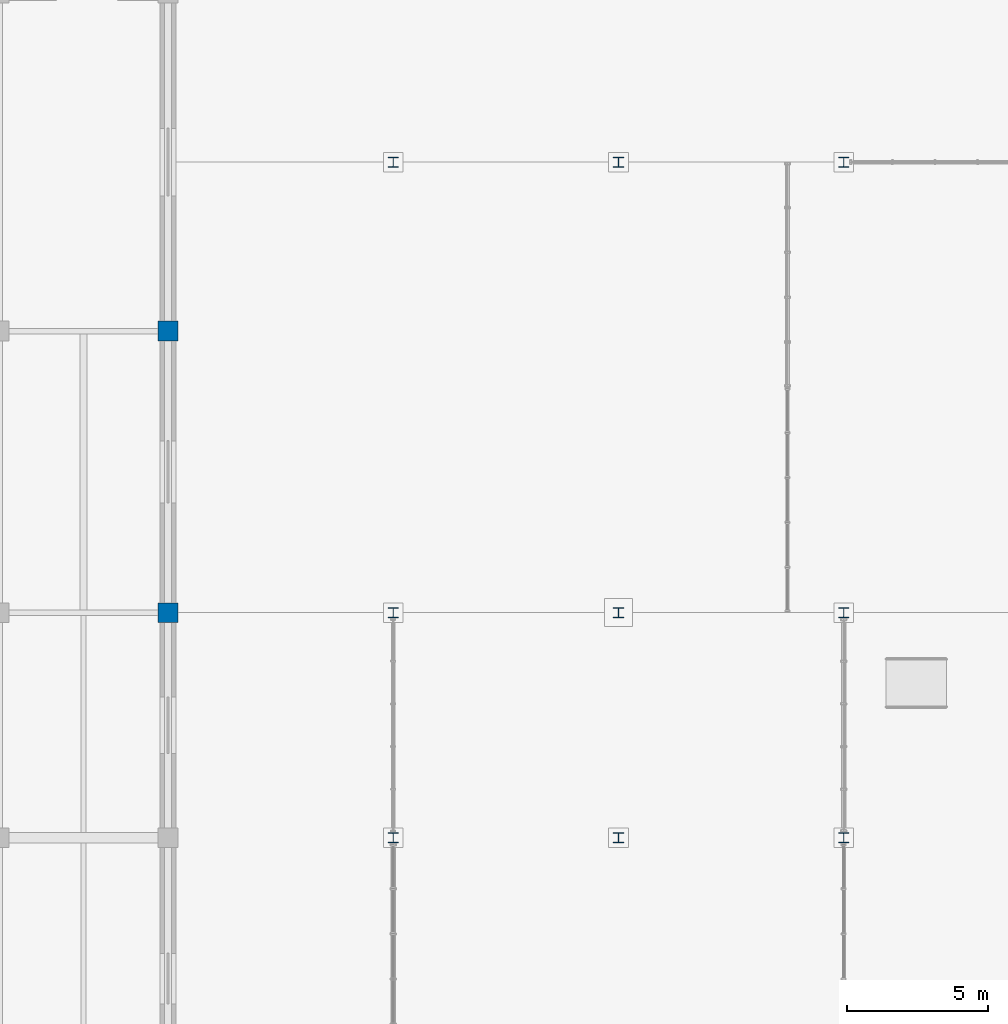
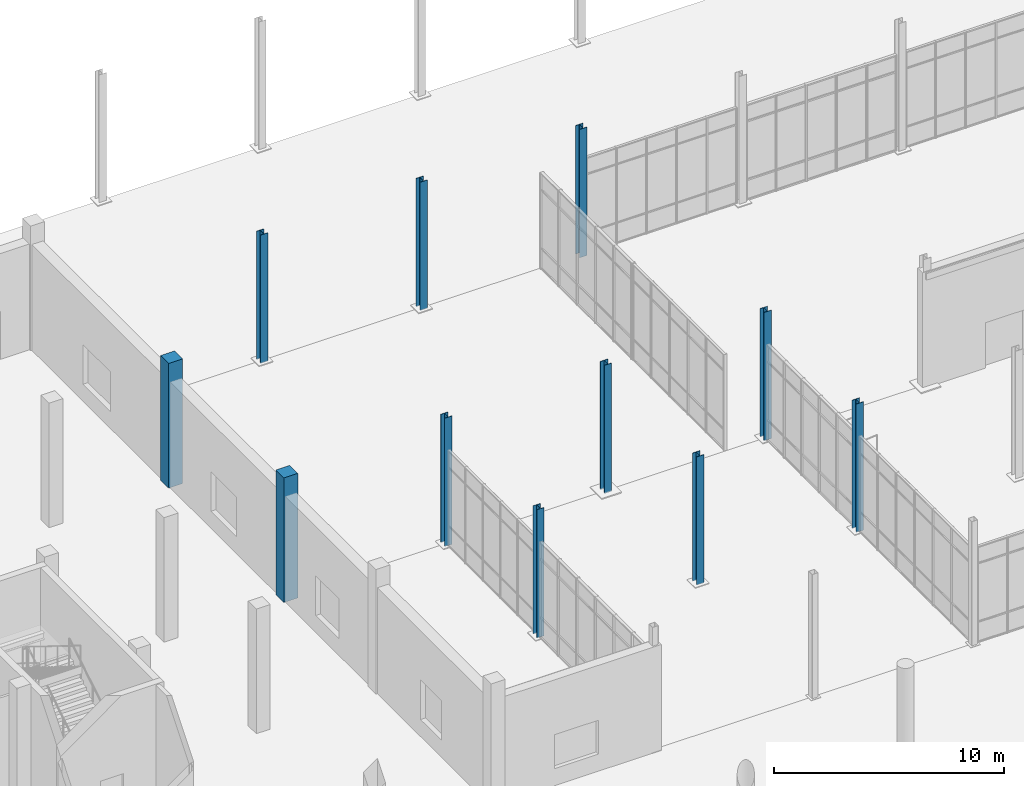
# One storey, part 10 of 140: 11 columns.
"""IFC4 building model written with IfcOpenShell, lengths in metres."""

import ifcopenshell
import ifcopenshell.guid

model = None  # the IFC model being written
_history = None  # IfcOwnerHistory: only IFC2X3 demands one
_inside = {}  # id of a spatial element -> (the spatial element, [elements in it])
_under = {}  # id of a project, library or spatial element -> (it, [spatial elements below it])
_declared = {}  # id of a project -> (the project, [libraries it declares])
_typed = {}  # id of a type object -> (the type object, [elements of that type])
_made_of = {}  # id of a material, layer set ... -> (it, [elements and type objects made of it])


def new_model(schema):
    """Start an empty IFC model of exactly this schema.

    Asked for "IFC4X3", IfcOpenShell would pick the latest addendum, in which some entities
    have other attributes; the version numbers below select the first issue.
    IFC2X3 requires an IfcOwnerHistory on every rooted entity: one is made here for all.
    """
    global model, _history
    if schema == "IFC4X3":
        model = ifcopenshell.file(schema_version=(4, 3, 0, 0))
    else:
        model = ifcopenshell.file(schema=schema)
    _inside.clear()
    _under.clear()
    _declared.clear()
    _typed.clear()
    _made_of.clear()
    _history = None
    if model.schema == "IFC2X3":
        org = make("IfcOrganization", Name="unknown")
        user = make(
            "IfcPersonAndOrganization",
            ThePerson=make("IfcPerson", FamilyName="unknown"),
            TheOrganization=org,
        )
        app = make(
            "IfcApplication",
            ApplicationDeveloper=org,
            Version="unknown",
            ApplicationFullName="unknown",
            ApplicationIdentifier="unknown",
        )
        _history = make(
            "IfcOwnerHistory",
            OwningUser=user,
            OwningApplication=app,
            ChangeAction="ADDED",
            CreationDate=0,
        )
    return model


def make(cls, **values):
    """One entity of the class cls with the attributes given. An attribute that is None is left unset."""
    return model.create_entity(
        cls, **{name: value for name, value in values.items() if value is not None}
    )


def rooted(cls, **values):
    """An entity with a GlobalId (a new one), such as an element, a storey or a relation."""
    return make(cls, GlobalId=ifcopenshell.guid.new(), OwnerHistory=_history, **values)


def si_unit(unit_type, name, prefix=None):
    """IfcSIUnit, for example si_unit("LENGTHUNIT", "METRE", prefix="MILLI")."""
    return make("IfcSIUnit", UnitType=unit_type, Prefix=prefix, Name=name)


def assignment(units):
    """IfcUnitAssignment: the units of a project."""
    return None if units is None else make("IfcUnitAssignment", Units=units)


def point(xyz):
    """IfcCartesianPoint."""
    return None if xyz is None else make("IfcCartesianPoint", Coordinates=xyz)


def direction(xyz):
    """IfcDirection."""
    return None if xyz is None else make("IfcDirection", DirectionRatios=xyz)


def frame(location, z_axis=None, x_axis=None):
    """IfcAxis2Placement3D, a coordinate frame: its origin and axes. An axis left out is left unset."""
    return make(
        "IfcAxis2Placement3D",
        Location=point(location),
        Axis=direction(z_axis),
        RefDirection=direction(x_axis),
    )


def frame_2d(location, x_axis=None):
    """IfcAxis2Placement2D, a coordinate frame in the plane: its origin and x axis."""
    return make(
        "IfcAxis2Placement2D", Location=point(location), RefDirection=direction(x_axis)
    )


def origin():
    """The frame at (0, 0, 0) with its axes left unset."""
    return frame((0.0, 0.0, 0.0))


def origin_2d():
    """The frame at (0, 0) in the plane with its x axis left unset."""
    return frame_2d((0.0, 0.0))


def place(relative_to, where):
    """IfcLocalPlacement: puts the frame where relative to a parent placement (None: the world)."""
    return make(
        "IfcLocalPlacement", PlacementRelTo=relative_to, RelativePlacement=where
    )


def context(
    kind, dimensions, precision=None, world=None, true_north=None, identifier=None
):
    """IfcGeometricRepresentationContext, for example the 3D "Model" context."""
    return make(
        "IfcGeometricRepresentationContext",
        ContextIdentifier=identifier,
        ContextType=kind,
        CoordinateSpaceDimension=dimensions,
        Precision=precision,
        WorldCoordinateSystem=world,
        TrueNorth=true_north,
    )


def subcontext(parent, identifier, kind, view, scale=None):
    """IfcGeometricRepresentationSubContext, for example "Body" below "Model"."""
    return make(
        "IfcGeometricRepresentationSubContext",
        ContextIdentifier=identifier,
        ContextType=kind,
        ParentContext=parent,
        TargetScale=scale,
        TargetView=view,
    )


def project(units=None, contexts=None):
    """IfcProject with its units and contexts."""
    return rooted(
        "IfcProject",
        Name="project",
        RepresentationContexts=contexts,
        UnitsInContext=assignment(units),
    )


def spatial(cls, under=None, at=None, **own):
    """A site, building, storey or space (cls), placed at a placement, below another one or the project."""
    s = rooted(cls, ObjectPlacement=at, **own)
    if under is not None:
        _under.setdefault(under.id(), (under, []))[1].append(s)
    return s


def profile(cls, at=None, kind="AREA", **sizes):
    """A parametric profile (cls). Its sizes go by their IFC names, for example OverallWidth=200.0."""
    return make(cls, ProfileType=kind, Position=at, **sizes)


def rectangle(**sizes):
    """IfcRectangleProfileDef."""
    return profile("IfcRectangleProfileDef", **sizes)


def i_section(**sizes):
    """IfcIShapeProfileDef."""
    return profile("IfcIShapeProfileDef", **sizes)


def extrude(swept, where, along, depth):
    """IfcExtrudedAreaSolid: the profile swept, set in the frame where, extruded along a direction by depth."""
    return make(
        "IfcExtrudedAreaSolid",
        SweptArea=swept,
        Position=where,
        ExtrudedDirection=direction(along),
        Depth=depth,
    )


def shape(context_of_items, identifier, shape_type, items):
    """IfcShapeRepresentation: the items that make up one representation, for example the "Body"."""
    return make(
        "IfcShapeRepresentation",
        ContextOfItems=context_of_items,
        RepresentationIdentifier=identifier,
        RepresentationType=shape_type,
        Items=items,
    )


def material(Name=None, Category=None):
    """IfcMaterial."""
    return make("IfcMaterial", Name=Name, Category=Category)


def material_profile(
    of_material, cross_section, Name=None, Category=None, Priority=None
):
    """IfcMaterialProfile: a cross section and its material."""
    return make(
        "IfcMaterialProfile",
        Name=Name,
        Material=of_material,
        Profile=cross_section,
        Priority=Priority,
        Category=Category,
    )


def profile_set(profiles, Name=None, composite=None):
    """IfcMaterialProfileSet."""
    return make(
        "IfcMaterialProfileSet",
        Name=Name,
        MaterialProfiles=profiles,
        CompositeProfile=composite,
    )


def made_of(thing, what):
    """Note that an element or type object is made of a material, layer set ...; save() writes the relation."""
    if what is not None:
        _made_of.setdefault(what.id(), (what, []))[1].append(thing)
    return thing


def type_object(cls, material=None, **own):
    """A type object (cls), such as IfcWallType, which elements share."""
    return made_of(rooted(cls, **own), material)


def element(
    cls,
    number,
    at=None,
    inside=None,
    cuts=None,
    type_object=None,
    material=None,
    context=None,
    identifier="Body",
    shape_type=None,
    held_by="IfcProductDefinitionShape",
    body=None,
    shapes=None,
    **own,
):
    """One element of the class cls, such as IfcWall. Its Tag is "e" and its number.

    at: its placement. inside: the storey or other place that contains it. cuts: it is an
    opening in that element (IfcRelVoidsElement). A single representation is given by context,
    identifier, shape_type and body (its items); several are given by shapes. held_by: the class
    of the entity that holds the representations. save() writes the other relations.
    """
    e = rooted(cls, Tag="e%d" % number, ObjectPlacement=at, **own)
    if body is not None:
        shapes = [shape(context, identifier, shape_type, body)]
    if shapes is not None:
        e.Representation = make(held_by, Representations=shapes)
    if inside is not None:
        _inside.setdefault(inside.id(), (inside, []))[1].append(e)
    if cuts is not None:
        rooted(
            "IfcRelVoidsElement", RelatingBuildingElement=cuts, RelatedOpeningElement=e
        )
    if type_object is not None:
        _typed.setdefault(type_object.id(), (type_object, []))[1].append(e)
    return made_of(e, material)


def aggregate(whole, parts):
    """IfcRelAggregates: a whole, such as a stair, and the parts it consists of."""
    return rooted("IfcRelAggregates", RelatingObject=whole, RelatedObjects=parts)


def save(model, path):
    """Write the relations noted so far, then the file.

    IfcRelAggregates (storeys below a building ...), IfcRelContainedInSpatialStructure (elements
    in a storey), IfcRelDefinesByType, IfcRelAssociatesMaterial and IfcRelDeclares: one each for
    every whole, place, type object, material and project.
    """
    for whole, parts in _under.values():
        aggregate(whole, parts)
    for where, things in _inside.values():
        rooted(
            "IfcRelContainedInSpatialStructure",
            RelatedElements=things,
            RelatingStructure=where,
        )
    for kind, things in _typed.values():
        rooted("IfcRelDefinesByType", RelatedObjects=things, RelatingType=kind)
    for what, things in _made_of.values():
        rooted("IfcRelAssociatesMaterial", RelatedObjects=things, RelatingMaterial=what)
    for by, libraries in _declared.values():
        rooted("IfcRelDeclares", RelatingContext=by, RelatedDefinitions=libraries)
    model.write(path)


model = new_model("IFC4")

# Units and contexts
model_context = context("Model", 3, precision=1e-05, world=origin(), true_north=direction((0.0, 1.0)))
body_context = subcontext(model_context, "Body", "Model", "MODEL_VIEW")
ifc_project = project(units=[si_unit("LENGTHUNIT", "METRE"), si_unit("AREAUNIT", "SQUARE_METRE"), si_unit("VOLUMEUNIT", "CUBIC_METRE"), si_unit("PLANEANGLEUNIT", "RADIAN"), si_unit("MASSUNIT", "GRAM", prefix="KILO")], contexts=[model_context])

# Site, building, storey
site_placement = place(None, origin())
site = spatial("IfcSite", under=ifc_project, at=site_placement, CompositionType="ELEMENT")
building_placement = place(site_placement, origin())
building = spatial("IfcBuilding", under=site, at=building_placement, Name="Verrall Gate Interchange", CompositionType="ELEMENT")
storey_placement = place(building_placement, origin())
storey = spatial("IfcBuildingStorey", under=building, at=storey_placement, Name="L01", CompositionType="ELEMENT", Elevation=0.0)

# Columns
ifc_material_1 = material(Name="Concrete CSA A23.1 40 MPa (Class N)", Category="concrete")
ifc_material_profile_1 = material_profile(ifc_material_1, rectangle(XDim=0.699951171875, YDim=0.699951171875, at=origin_2d()), Name="RC700x700")
ifc_profile_set_1 = profile_set([ifc_material_profile_1], Name="Concrete CSA A23.1 40 MPa (Class N)")
column_type_1 = type_object("IfcColumnType", Name="C-03 Column RC700x700", PredefinedType="COLUMN", material=ifc_profile_set_1)
for number, where, z_axis, x_axis, name in (
    (1, (36.0, 74.0, 0.0), (0.0, 0.0, 1.0), (1.0, 0.0, 0.0), "L01 Column COL-L01-0811 (C-03)"),
    (2, (36.0, 84.0, 0.0), (0.0, 0.0, 1.0), (1.0, 0.0, 0.0), "L01 Column COL-L01-0817 (C-03)"),
):
    element("IfcColumn", number, at=place(storey_placement, frame(where, z_axis=z_axis, x_axis=x_axis)), inside=storey, type_object=column_type_1, Name=name, PredefinedType="COLUMN", context=body_context, shape_type="SweptSolid", body=[
        extrude(rectangle(XDim=0.699951171875, YDim=0.699951171875, at=origin_2d()), origin(), (0.0, 0.0, 1.0), 6.60009765625),
    ])
ifc_material_2 = material(Name="Structural Steel CSA G40.21 350W", Category="steel")
ifc_material_profile_2 = material_profile(ifc_material_2, i_section(OverallWidth=0.368896484375, OverallDepth=0.35595703125, WebThickness=0.01123046875, FlangeThickness=0.01806640625, FilletRadius=0.014892578125, at=origin_2d()), Name="W360x134")
ifc_profile_set_2 = profile_set([ifc_material_profile_2], Name="Structural Steel CSA G40.21 350W")
column_type_2 = type_object("IfcColumnType", Name="C-08 Column W360x134", PredefinedType="COLUMN", material=ifc_profile_set_2)
for number, where, z_axis, x_axis, name in (
    (3, (60.0, 74.0, 0.0), (0.0, 0.0, 1.0), (1.0, 0.0, 0.0), "Bus Concourse Steel Column 1530"),
    (4, (44.0, 66.0, 0.0), (0.0, 0.0, 1.0), (1.0, 0.0, 0.0), "Bus Concourse Steel Column 1534"),
    (5, (52.0, 66.0, 0.0), (0.0, 0.0, 1.0), (1.0, 0.0, 0.0), "Bus Concourse Steel Column 1536"),
    (6, (60.0, 66.0, 0.0), (0.0, 0.0, 1.0), (1.0, 0.0, 0.0), "Bus Concourse Steel Column 1538"),
    (7, (44.0, 74.0, 0.0), (0.0, 0.0, 1.0), (1.0, 0.0, 0.0), "Bus Concourse Steel Column 1564"),
    (8, (44.0, 90.0, 0.0), (0.0, 0.0, 1.0), (1.0, 0.0, 0.0), "Bus Concourse Steel Column 1582"),
    (9, (52.0, 90.0, 0.0), (0.0, 0.0, 1.0), (1.0, 0.0, 0.0), "Bus Concourse Steel Column 1584"),
    (10, (60.0, 90.0, 0.0), (0.0, 0.0, 1.0), (1.0, 0.0, 0.0), "Bus Concourse Steel Column 1586"),
    (11, (52.0, 74.0, 0.0), (0.0, 0.0, 1.0), (1.0, 0.0, 0.0), "Bus Concourse Steel Column 1634"),
):
    element("IfcColumn", number, at=place(storey_placement, frame(where, z_axis=z_axis, x_axis=x_axis)), inside=storey, type_object=column_type_2, Name=name, PredefinedType="COLUMN", context=body_context, shape_type="SweptSolid", body=[
        extrude(i_section(OverallWidth=0.368896484375, OverallDepth=0.35595703125, WebThickness=0.01123046875, FlangeThickness=0.01806640625, FilletRadius=0.014892578125, at=origin_2d()), origin(), (0.0, 0.0, 1.0), 6.800048828125),
    ])

save(model, "model.ifc")
